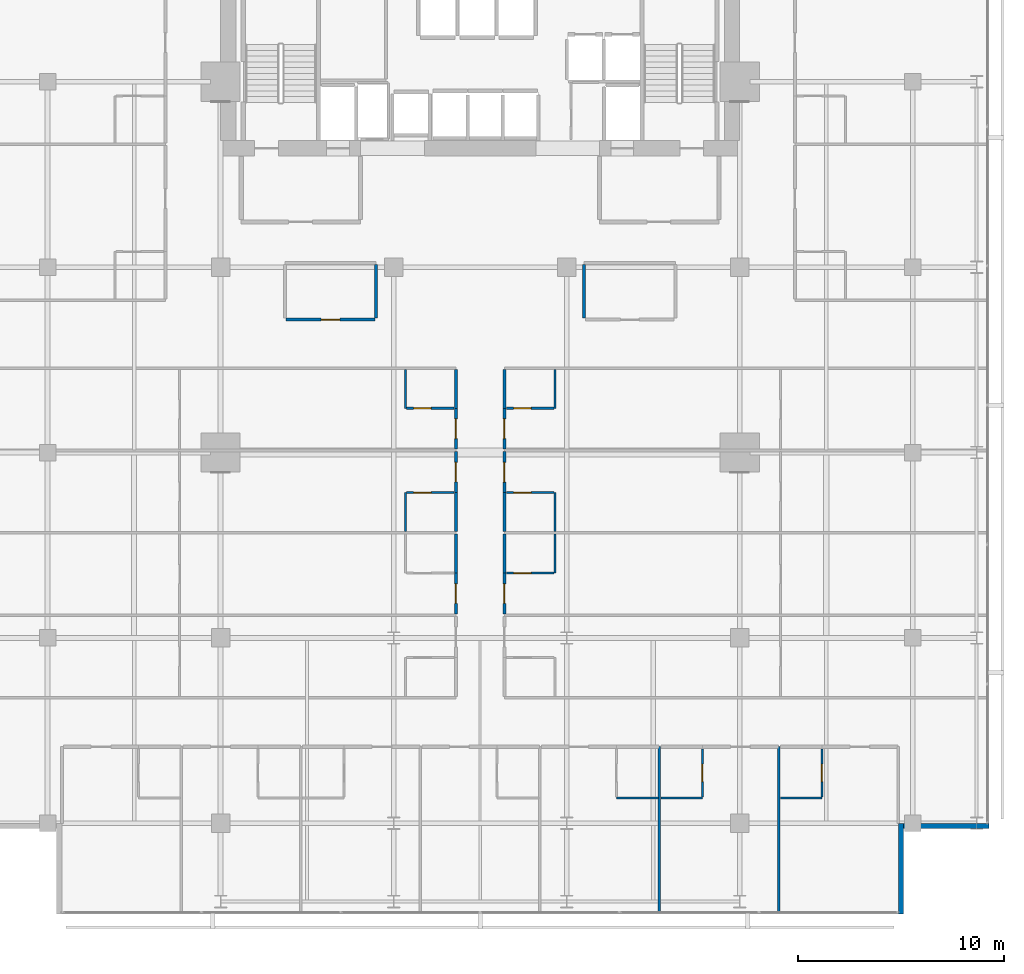
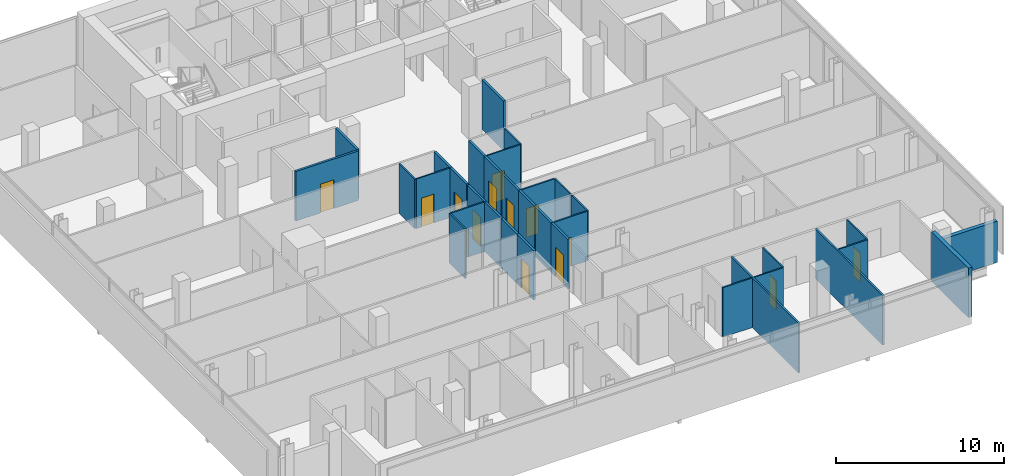
# One storey, part 28 of 34: 34 walls, 14 doors, 14 openings.
"""IFC4 building model written with IfcOpenShell, lengths in metres."""

from ifc_helpers import new_model, si_unit, direction, frame, frame_2d, origin, place, context, subcontext, project, spatial, rectangle, extrude, material, layer, layer_set, type_object, element, fill, save


model = new_model("IFC4")

# Units and contexts
model_context = context("Model", 3, precision=1e-05, world=origin(), true_north=direction((0.0, 1.0)))
body_context = subcontext(model_context, "Body", "Model", "MODEL_VIEW")
ifc_project = project(units=[si_unit("LENGTHUNIT", "METRE"), si_unit("AREAUNIT", "SQUARE_METRE"), si_unit("VOLUMEUNIT", "CUBIC_METRE"), si_unit("PLANEANGLEUNIT", "RADIAN"), si_unit("MASSUNIT", "GRAM", prefix="KILO")], contexts=[model_context])

# Site, building, storey
site_placement = place(None, origin())
site = spatial("IfcSite", under=ifc_project, at=site_placement, CompositionType="ELEMENT")
building_placement = place(site_placement, origin())
building = spatial("IfcBuilding", under=site, at=building_placement, Name="Maruvema Waterfront Hotel and Observation Tower", CompositionType="ELEMENT")
storey_placement = place(building_placement, frame((0.0, 0.0, 131.25)))
storey = spatial("IfcBuildingStorey", under=building, at=storey_placement, Name="L31", CompositionType="ELEMENT", Elevation=131.25)

# Wall
ifc_material_1 = material(Name="Twin-stud acoustic gypsum drywall", Category="gypsum")
ifc_layer_1 = layer(ifc_material_1, 0.14990234375, Name="Acoustic Corridor and Suite Demising Wall 150 mm")
ifc_layer_set_1 = layer_set([ifc_layer_1], Name="Twin-stud acoustic gypsum drywall")
wall_type_1 = type_object("IfcWallType", Name="Acoustic Corridor and Suite Demising Wall 150 mm", PredefinedType="PARTITIONING", material=ifc_layer_set_1)
wall_1_placement = place(storey_placement, frame((32.75, 33.530029296875, 0.0), z_axis=(0.0, 0.0, 1.0), x_axis=(0.0, 1.0, 0.0)))
element("IfcWall", 1, at=wall_1_placement, inside=storey, type_object=wall_type_1, Name="L31 L31-M1 East Wall 019", PredefinedType="PARTITIONING", context=body_context, shape_type="SweptSolid", body=[
    extrude(rectangle(XDim=2.590087890625, YDim=0.14990234375, at=frame_2d((1.294921875, 0.0))), origin(), (0.0, 0.0, 1.0), 3.610107421875),
])

# Wall, opening, door
wall_2_placement = place(storey_placement, frame((28.3798828125, 33.449951171875, 0.0), z_axis=(0.0, 0.0, 1.0), x_axis=(1.0, 0.0, 0.0)))
wall_2 = element("IfcWall", 2, at=wall_2_placement, inside=storey, type_object=wall_type_1, Name="L31 L31-M1 Front 1 020", PredefinedType="PARTITIONING", context=body_context, shape_type="SweptSolid", body=[
    extrude(rectangle(XDim=4.31005859375, YDim=0.14990234375, at=frame_2d((2.155029296875, 0.0))), origin(), (0.0, 0.0, 1.0), 3.610107421875),
])
opening_1_placement = place(wall_2_placement, frame((1.705078125, 0.0, 0.0)))
opening_1 = element("IfcOpeningElement", 3, at=opening_1_placement, cuts=wall_2, Name="Opening DR-090", PredefinedType="OPENING", context=body_context, shape_type="SweptSolid", body=[
    extrude(rectangle(XDim=0.89990234375, YDim=2.10009765625, at=frame_2d((0.449951171875, 1.050048828125))), frame((0.0, 0.0849609375, 0.0), z_axis=(0.0, -1.0, 0.0), x_axis=(1.0, 0.0, 0.0)), (0.0, 0.0, 1.0), 0.169921875),
])
ifc_material_2 = material(Name="Solid-core lacquered timber leaf", Category="wood")
door_type_1 = type_object("IfcDoorType", Name="Accessible Toilet and Room Door 900x2100 mm", OperationType="NOTDEFINED", PredefinedType="DOOR", material=ifc_material_2)
door_1_placement = place(opening_1_placement, frame((0.89990234375, 0.0, 0.0), z_axis=(0.0, 0.0, 1.0), x_axis=(-1.0, 0.0, 0.0)))
door_1 = element("IfcDoor", 4, at=door_1_placement, inside=storey, type_object=door_type_1, Name="L31 Butler Kitchenette Door", OperationType="SINGLE_SWING_LEFT", OverallHeight=2.10009765625, OverallWidth=0.89990234375, PredefinedType="DOOR", context=body_context, shape_type="SweptSolid", body=[
    extrude(rectangle(XDim=0.89990234375, YDim=2.10009765625, at=frame_2d((0.449951171875, 1.050048828125))), frame((0.0, 0.02490234375, 0.0), z_axis=(0.0, -1.0, 0.0), x_axis=(1.0, 0.0, 0.0)), (0.0, 0.0, 1.0), 0.050048828125),
])
fill(opening_1, door_1)

# Wall
wall_3_placement = place(storey_placement, frame((42.85009765625, 33.530029296875, 0.0), z_axis=(0.0, 0.0, 1.0), x_axis=(0.0, 1.0, 0.0)))
element("IfcWall", 5, at=wall_3_placement, inside=storey, type_object=wall_type_1, Name="L31 L31-M2 West Wall 022", PredefinedType="PARTITIONING", context=body_context, shape_type="SweptSolid", body=[
    extrude(rectangle(XDim=2.590087890625, YDim=0.14990234375, at=frame_2d((1.294921875, 0.0))), origin(), (0.0, 0.0, 1.0), 3.610107421875),
])

# Wall, opening, door
wall_4_placement = place(storey_placement, frame((36.6201171875, 19.159912109375, 0.0), z_axis=(0.0, 0.0, 1.0), x_axis=(0.0, 1.0, 0.0)))
wall_4 = element("IfcWall", 6, at=wall_4_placement, inside=storey, type_object=wall_type_1, Name="L31 Room L31-W2 Corridor Wall 077", PredefinedType="PARTITIONING", context=body_context, shape_type="SweptSolid", body=[
    extrude(rectangle(XDim=1.989990234375, YDim=0.14990234375, at=frame_2d((0.9951171875, 0.0))), origin(), (0.0, 0.0, 1.0), 3.610107421875),
])
opening_2_placement = place(wall_4_placement, frame((0.52001953125, 0.0, 0.0)))
opening_2 = element("IfcOpeningElement", 7, at=opening_2_placement, cuts=wall_4, Name="Opening DR-095", PredefinedType="OPENING", context=body_context, shape_type="SweptSolid", body=[
    extrude(rectangle(XDim=0.949951171875, YDim=2.14990234375, at=frame_2d((0.47509765625, 1.074951171875))), frame((0.0, 0.0849609375, 0.0), z_axis=(0.0, -1.0, 0.0), x_axis=(1.0, 0.0, 0.0)), (0.0, 0.0, 1.0), 0.169921875),
])
ifc_material_3 = material(Name="Acoustic solid-core hardwood timber leaf", Category="wood")
door_type_2 = type_object("IfcDoorType", Name="Guestroom Entrance Fire Door 950x2150 mm", OperationType="NOTDEFINED", PredefinedType="DOOR", material=ifc_material_3)
door_2_placement = place(opening_2_placement, origin())
door_2 = element("IfcDoor", 8, at=door_2_placement, inside=storey, type_object=door_type_2, Name="L31 Room L31-W2 Entrance Door", OperationType="SINGLE_SWING_RIGHT", OverallHeight=2.14990234375, OverallWidth=0.949951171875, PredefinedType="DOOR", context=body_context, shape_type="SweptSolid", body=[
    extrude(rectangle(XDim=0.949951171875, YDim=2.14990234375, at=frame_2d((0.47509765625, 1.074951171875))), frame((0.0, 0.02490234375, 0.0), z_axis=(0.0, -1.0, 0.0), x_axis=(1.0, 0.0, 0.0)), (0.0, 0.0, 1.0), 0.050048828125),
])
fill(opening_2, door_2)

# Wall
wall_5_placement = place(storey_placement, frame((36.6201171875, 21.14990234375, 0.0), z_axis=(0.0, 0.0, 1.0), x_axis=(0.0, 1.0, 0.0)))
element("IfcWall", 9, at=wall_5_placement, inside=storey, type_object=wall_type_1, Name="L31 Bath L31-W2 Wall 078", PredefinedType="PARTITIONING", context=body_context, shape_type="SweptSolid", body=[
    extrude(rectangle(XDim=1.89013671875, YDim=0.14990234375, at=frame_2d((0.945068359375, 0.0))), origin(), (0.0, 0.0, 1.0), 3.610107421875),
])

# Wall, opening, door
wall_6_placement = place(storey_placement, frame((38.97998046875, 19.159912109375, 0.0), z_axis=(0.0, 0.0, 1.0), x_axis=(0.0, 1.0, 0.0)))
wall_6 = element("IfcWall", 10, at=wall_6_placement, inside=storey, type_object=wall_type_1, Name="L31 Room L31-E2 Corridor Wall 082", PredefinedType="PARTITIONING", context=body_context, shape_type="SweptSolid", body=[
    extrude(rectangle(XDim=1.989990234375, YDim=0.14990234375, at=frame_2d((0.9951171875, 0.0))), origin(), (0.0, 0.0, 1.0), 3.610107421875),
])
opening_3_placement = place(wall_6_placement, frame((0.52001953125, 0.0, 0.0)))
opening_3 = element("IfcOpeningElement", 11, at=opening_3_placement, cuts=wall_6, Name="Opening DR-095", PredefinedType="OPENING", context=body_context, shape_type="SweptSolid", body=[
    extrude(rectangle(XDim=0.949951171875, YDim=2.14990234375, at=frame_2d((0.47509765625, 1.074951171875))), frame((0.0, 0.0849609375, 0.0), z_axis=(0.0, -1.0, 0.0), x_axis=(1.0, 0.0, 0.0)), (0.0, 0.0, 1.0), 0.169921875),
])
door_3_placement = place(opening_3_placement, frame((0.949951171875, 0.0, 0.0), z_axis=(0.0, 0.0, 1.0), x_axis=(-1.0, 0.0, 0.0)))
door_3 = element("IfcDoor", 12, at=door_3_placement, inside=storey, type_object=door_type_2, Name="L31 Room L31-E2 Entrance Door", OperationType="SINGLE_SWING_LEFT", OverallHeight=2.14990234375, OverallWidth=0.949951171875, PredefinedType="DOOR", context=body_context, shape_type="SweptSolid", body=[
    extrude(rectangle(XDim=0.949951171875, YDim=2.14990234375, at=frame_2d((0.47509765625, 1.074951171875))), frame((0.0, 0.02490234375, 0.0), z_axis=(0.0, -1.0, 0.0), x_axis=(1.0, 0.0, 0.0)), (0.0, 0.0, 1.0), 0.050048828125),
])
fill(opening_3, door_3)

# Walls
for number, where, z_axis, x_axis, name in (
    (13, (38.97998046875, 21.14990234375, 0.0), (0.0, 0.0, 1.0), (0.0, 1.0, 0.0), "L31 Bath L31-E2 Wall 083"),
    (14, (36.6201171875, 23.159912109375, 0.0), (0.0, 0.0, 1.0), (0.0, 1.0, 0.0), "L31 Bath L31-W3 Wall 089"),
):
    element("IfcWall", number, at=place(storey_placement, frame(where, z_axis=z_axis, x_axis=x_axis)), inside=storey, type_object=wall_type_1, Name=name, PredefinedType="PARTITIONING", context=body_context, shape_type="SweptSolid", body=[
        extrude(rectangle(XDim=1.89013671875, YDim=0.14990234375, at=frame_2d((0.945068359375, 0.0))), origin(), (0.0, 0.0, 1.0), 3.610107421875),
    ])

# Wall, opening, door
wall_7_placement = place(storey_placement, frame((36.6201171875, 25.050048828125, 0.0), z_axis=(0.0, 0.0, 1.0), x_axis=(0.0, 1.0, 0.0)))
wall_7 = element("IfcWall", 15, at=wall_7_placement, inside=storey, type_object=wall_type_1, Name="L31 Room L31-W3 Corridor Wall 090", PredefinedType="PARTITIONING", context=body_context, shape_type="SweptSolid", body=[
    extrude(rectangle(XDim=1.989990234375, YDim=0.14990234375, at=frame_2d((0.9951171875, 0.0))), origin(), (0.0, 0.0, 1.0), 3.610107421875),
])
opening_4_placement = place(wall_7_placement, frame((0.52001953125, 0.0, 0.0)))
opening_4 = element("IfcOpeningElement", 16, at=opening_4_placement, cuts=wall_7, Name="Opening DR-095", PredefinedType="OPENING", context=body_context, shape_type="SweptSolid", body=[
    extrude(rectangle(XDim=0.949951171875, YDim=2.14990234375, at=frame_2d((0.47509765625, 1.074951171875))), frame((0.0, 0.0849609375, 0.0), z_axis=(0.0, -1.0, 0.0), x_axis=(1.0, 0.0, 0.0)), (0.0, 0.0, 1.0), 0.169921875),
])
door_4_placement = place(opening_4_placement, origin())
door_4 = element("IfcDoor", 17, at=door_4_placement, inside=storey, type_object=door_type_2, Name="L31 Room L31-W3 Entrance Door", OperationType="SINGLE_SWING_RIGHT", OverallHeight=2.14990234375, OverallWidth=0.949951171875, PredefinedType="DOOR", context=body_context, shape_type="SweptSolid", body=[
    extrude(rectangle(XDim=0.949951171875, YDim=2.14990234375, at=frame_2d((0.47509765625, 1.074951171875))), frame((0.0, 0.02490234375, 0.0), z_axis=(0.0, -1.0, 0.0), x_axis=(1.0, 0.0, 0.0)), (0.0, 0.0, 1.0), 0.050048828125),
])
fill(opening_4, door_4)

# Wall
wall_8_placement = place(storey_placement, frame((38.97998046875, 23.159912109375, 0.0), z_axis=(0.0, 0.0, 1.0), x_axis=(0.0, 1.0, 0.0)))
element("IfcWall", 18, at=wall_8_placement, inside=storey, type_object=wall_type_1, Name="L31 Bath L31-E3 Wall 094", PredefinedType="PARTITIONING", context=body_context, shape_type="SweptSolid", body=[
    extrude(rectangle(XDim=1.89013671875, YDim=0.14990234375, at=frame_2d((0.945068359375, 0.0))), origin(), (0.0, 0.0, 1.0), 3.610107421875),
])

# Wall, opening, door
wall_9_placement = place(storey_placement, frame((38.97998046875, 25.050048828125, 0.0), z_axis=(0.0, 0.0, 1.0), x_axis=(0.0, 1.0, 0.0)))
wall_9 = element("IfcWall", 19, at=wall_9_placement, inside=storey, type_object=wall_type_1, Name="L31 Room L31-E3 Corridor Wall 095", PredefinedType="PARTITIONING", context=body_context, shape_type="SweptSolid", body=[
    extrude(rectangle(XDim=1.989990234375, YDim=0.14990234375, at=frame_2d((0.9951171875, 0.0))), origin(), (0.0, 0.0, 1.0), 3.610107421875),
])
opening_5_placement = place(wall_9_placement, frame((0.52001953125, 0.0, 0.0)))
opening_5 = element("IfcOpeningElement", 20, at=opening_5_placement, cuts=wall_9, Name="Opening DR-095", PredefinedType="OPENING", context=body_context, shape_type="SweptSolid", body=[
    extrude(rectangle(XDim=0.949951171875, YDim=2.14990234375, at=frame_2d((0.47509765625, 1.074951171875))), frame((0.0, 0.0849609375, 0.0), z_axis=(0.0, -1.0, 0.0), x_axis=(1.0, 0.0, 0.0)), (0.0, 0.0, 1.0), 0.169921875),
])
door_5_placement = place(opening_5_placement, frame((0.949951171875, 0.0, 0.0), z_axis=(0.0, 0.0, 1.0), x_axis=(-1.0, 0.0, 0.0)))
door_5 = element("IfcDoor", 21, at=door_5_placement, inside=storey, type_object=door_type_2, Name="L31 Room L31-E3 Entrance Door", OperationType="SINGLE_SWING_LEFT", OverallHeight=2.14990234375, OverallWidth=0.949951171875, PredefinedType="DOOR", context=body_context, shape_type="SweptSolid", body=[
    extrude(rectangle(XDim=0.949951171875, YDim=2.14990234375, at=frame_2d((0.47509765625, 1.074951171875))), frame((0.0, 0.02490234375, 0.0), z_axis=(0.0, -1.0, 0.0), x_axis=(1.0, 0.0, 0.0)), (0.0, 0.0, 1.0), 0.050048828125),
])
fill(opening_5, door_5)

wall_10_placement = place(storey_placement, frame((36.6201171875, 27.159912109375, 0.0), z_axis=(0.0, 0.0, 1.0), x_axis=(0.0, 1.0, 0.0)))
wall_10 = element("IfcWall", 22, at=wall_10_placement, inside=storey, type_object=wall_type_1, Name="L31 Room L31-W4 Corridor Wall 101", PredefinedType="PARTITIONING", context=body_context, shape_type="SweptSolid", body=[
    extrude(rectangle(XDim=1.989990234375, YDim=0.14990234375, at=frame_2d((0.9951171875, 0.0))), origin(), (0.0, 0.0, 1.0), 3.610107421875),
])
opening_6_placement = place(wall_10_placement, frame((0.52001953125, 0.0, 0.0)))
opening_6 = element("IfcOpeningElement", 23, at=opening_6_placement, cuts=wall_10, Name="Opening DR-095", PredefinedType="OPENING", context=body_context, shape_type="SweptSolid", body=[
    extrude(rectangle(XDim=0.949951171875, YDim=2.14990234375, at=frame_2d((0.47509765625, 1.074951171875))), frame((0.0, 0.0849609375, 0.0), z_axis=(0.0, -1.0, 0.0), x_axis=(1.0, 0.0, 0.0)), (0.0, 0.0, 1.0), 0.169921875),
])
door_6_placement = place(opening_6_placement, origin())
door_6 = element("IfcDoor", 24, at=door_6_placement, inside=storey, type_object=door_type_2, Name="L31 Room L31-W4 Entrance Door", OperationType="SINGLE_SWING_RIGHT", OverallHeight=2.14990234375, OverallWidth=0.949951171875, PredefinedType="DOOR", context=body_context, shape_type="SweptSolid", body=[
    extrude(rectangle(XDim=0.949951171875, YDim=2.14990234375, at=frame_2d((0.47509765625, 1.074951171875))), frame((0.0, 0.02490234375, 0.0), z_axis=(0.0, -1.0, 0.0), x_axis=(1.0, 0.0, 0.0)), (0.0, 0.0, 1.0), 0.050048828125),
])
fill(opening_6, door_6)

# Wall
wall_11_placement = place(storey_placement, frame((36.6201171875, 29.14990234375, 0.0), z_axis=(0.0, 0.0, 1.0), x_axis=(0.0, 1.0, 0.0)))
element("IfcWall", 25, at=wall_11_placement, inside=storey, type_object=wall_type_1, Name="L31 Bath L31-W4 Wall 102", PredefinedType="PARTITIONING", context=body_context, shape_type="SweptSolid", body=[
    extrude(rectangle(XDim=1.89013671875, YDim=0.14990234375, at=frame_2d((0.945068359375, 0.0))), origin(), (0.0, 0.0, 1.0), 3.610107421875),
])

# Wall, opening, door
wall_12_placement = place(storey_placement, frame((38.97998046875, 27.159912109375, 0.0), z_axis=(0.0, 0.0, 1.0), x_axis=(0.0, 1.0, 0.0)))
wall_12 = element("IfcWall", 26, at=wall_12_placement, inside=storey, type_object=wall_type_1, Name="L31 Room L31-E4 Corridor Wall 106", PredefinedType="PARTITIONING", context=body_context, shape_type="SweptSolid", body=[
    extrude(rectangle(XDim=1.989990234375, YDim=0.14990234375, at=frame_2d((0.9951171875, 0.0))), origin(), (0.0, 0.0, 1.0), 3.610107421875),
])
opening_7_placement = place(wall_12_placement, frame((0.52001953125, 0.0, 0.0)))
opening_7 = element("IfcOpeningElement", 27, at=opening_7_placement, cuts=wall_12, Name="Opening DR-095", PredefinedType="OPENING", context=body_context, shape_type="SweptSolid", body=[
    extrude(rectangle(XDim=0.949951171875, YDim=2.14990234375, at=frame_2d((0.47509765625, 1.074951171875))), frame((0.0, 0.0849609375, 0.0), z_axis=(0.0, -1.0, 0.0), x_axis=(1.0, 0.0, 0.0)), (0.0, 0.0, 1.0), 0.169921875),
])
door_7_placement = place(opening_7_placement, frame((0.949951171875, 0.0, 0.0), z_axis=(0.0, 0.0, 1.0), x_axis=(-1.0, 0.0, 0.0)))
door_7 = element("IfcDoor", 28, at=door_7_placement, inside=storey, type_object=door_type_2, Name="L31 Room L31-E4 Entrance Door", OperationType="SINGLE_SWING_LEFT", OverallHeight=2.14990234375, OverallWidth=0.949951171875, PredefinedType="DOOR", context=body_context, shape_type="SweptSolid", body=[
    extrude(rectangle(XDim=0.949951171875, YDim=2.14990234375, at=frame_2d((0.47509765625, 1.074951171875))), frame((0.0, 0.02490234375, 0.0), z_axis=(0.0, -1.0, 0.0), x_axis=(1.0, 0.0, 0.0)), (0.0, 0.0, 1.0), 0.050048828125),
])
fill(opening_7, door_7)

# Walls
wall_13_placement = place(storey_placement, frame((38.97998046875, 29.14990234375, 0.0), z_axis=(0.0, 0.0, 1.0), x_axis=(0.0, 1.0, 0.0)))
element("IfcWall", 29, at=wall_13_placement, inside=storey, type_object=wall_type_1, Name="L31 Bath L31-E4 Wall 107", PredefinedType="PARTITIONING", context=body_context, shape_type="SweptSolid", body=[
    extrude(rectangle(XDim=1.89013671875, YDim=0.14990234375, at=frame_2d((0.945068359375, 0.0))), origin(), (0.0, 0.0, 1.0), 3.610107421875),
])
ifc_material_4 = material(Name="Moisture-resistant cement-board drywall", Category="gypsum")
ifc_layer_2 = layer(ifc_material_4, 0.10009765625, Name="En-Suite Moisture-Resistant Partition 100 mm")
ifc_layer_set_2 = layer_set([ifc_layer_2], Name="Moisture-resistant cement-board drywall")
wall_type_2 = type_object("IfcWallType", Name="En-Suite Moisture-Resistant Partition 100 mm", PredefinedType="PARTITIONING", material=ifc_layer_set_2)
wall_14_placement = place(storey_placement, frame((44.409912109375, 10.219970703125, 0.0), z_axis=(0.0, 0.0, 1.0), x_axis=(1.0, 0.0, 0.0)))
element("IfcWall", 30, at=wall_14_placement, inside=storey, type_object=wall_type_2, Name="L31 En-Suite L31-S5 South 048", PredefinedType="PARTITIONING", context=body_context, shape_type="SweptSolid", body=[
    extrude(rectangle(XDim=2.050048828125, YDim=0.10009765625, at=frame_2d((1.02490234375, 0.0))), origin(), (0.0, 0.0, 1.0), 3.610107421875),
])
wall_15_placement = place(storey_placement, frame((46.580078125, 10.219970703125, 0.0), z_axis=(0.0, 0.0, 1.0), x_axis=(1.0, 0.0, 0.0)))
element("IfcWall", 31, at=wall_15_placement, inside=storey, type_object=wall_type_2, Name="L31 En-Suite L31-S6 South 053", PredefinedType="PARTITIONING", context=body_context, shape_type="SweptSolid", body=[
    extrude(rectangle(XDim=2.010009765625, YDim=0.10009765625, at=frame_2d((1.0048828125, 0.0))), origin(), (0.0, 0.0, 1.0), 3.610107421875),
])

# Wall, opening, door
wall_16_placement = place(storey_placement, frame((48.590087890625, 10.280029296875, 0.0), z_axis=(0.0, 0.0, 1.0), x_axis=(0.0, 1.0, 0.0)))
wall_16 = element("IfcWall", 32, at=wall_16_placement, inside=storey, type_object=wall_type_2, Name="L31 En-Suite L31-S6 East 054", PredefinedType="PARTITIONING", context=body_context, shape_type="SweptSolid", body=[
    extrude(rectangle(XDim=2.340087890625, YDim=0.10009765625, at=frame_2d((1.169921875, 0.0))), origin(), (0.0, 0.0, 1.0), 3.610107421875),
])
opening_8_placement = place(wall_16_placement, frame((0.7451171875, 0.0, 0.0)))
opening_8 = element("IfcOpeningElement", 33, at=opening_8_placement, cuts=wall_16, Name="Opening DR-085", PredefinedType="OPENING", context=body_context, shape_type="SweptSolid", body=[
    extrude(rectangle(XDim=0.85009765625, YDim=2.10009765625, at=frame_2d((0.425048828125, 1.050048828125))), frame((0.0, 0.06005859375, 0.0), z_axis=(0.0, -1.0, 0.0), x_axis=(1.0, 0.0, 0.0)), (0.0, 0.0, 1.0), 0.1201171875),
])
ifc_material_5 = material(Name="Moisture-resistant solid timber leaf", Category="wood")
door_type_3 = type_object("IfcDoorType", Name="En-Suite Bathroom Door 850x2100 mm", OperationType="NOTDEFINED", PredefinedType="DOOR", material=ifc_material_5)
door_8_placement = place(opening_8_placement, frame((0.85009765625, 0.0, 0.0), z_axis=(0.0, 0.0, 1.0), x_axis=(-1.0, 0.0, 0.0)))
door_8 = element("IfcDoor", 34, at=door_8_placement, inside=storey, type_object=door_type_3, Name="L31 En-Suite L31-S6 Door", OperationType="SINGLE_SWING_LEFT", OverallHeight=2.10009765625, OverallWidth=0.85009765625, PredefinedType="DOOR", context=body_context, shape_type="SweptSolid", body=[
    extrude(rectangle(XDim=0.85009765625, YDim=2.10009765625, at=frame_2d((0.425048828125, 1.050048828125))), frame((0.0, 0.02490234375, 0.0), z_axis=(0.0, -1.0, 0.0), x_axis=(1.0, 0.0, 0.0)), (0.0, 0.0, 1.0), 0.050048828125),
])
fill(opening_8, door_8)

# Wall
wall_17_placement = place(storey_placement, frame((52.3798828125, 10.219970703125, 0.0), z_axis=(0.0, 0.0, 1.0), x_axis=(1.0, 0.0, 0.0)))
element("IfcWall", 35, at=wall_17_placement, inside=storey, type_object=wall_type_2, Name="L31 En-Suite L31-S7 South 058", PredefinedType="PARTITIONING", context=body_context, shape_type="SweptSolid", body=[
    extrude(rectangle(XDim=2.010009765625, YDim=0.10009765625, at=frame_2d((1.0048828125, 0.0))), origin(), (0.0, 0.0, 1.0), 3.610107421875),
])

# Wall, opening, door
wall_18_placement = place(storey_placement, frame((54.389892578125, 10.280029296875, 0.0), z_axis=(0.0, 0.0, 1.0), x_axis=(0.0, 1.0, 0.0)))
wall_18 = element("IfcWall", 36, at=wall_18_placement, inside=storey, type_object=wall_type_2, Name="L31 En-Suite L31-S7 East 059", PredefinedType="PARTITIONING", context=body_context, shape_type="SweptSolid", body=[
    extrude(rectangle(XDim=2.340087890625, YDim=0.10009765625, at=frame_2d((1.169921875, 0.0))), origin(), (0.0, 0.0, 1.0), 3.610107421875),
])
opening_9_placement = place(wall_18_placement, frame((0.7451171875, 0.0, 0.0)))
opening_9 = element("IfcOpeningElement", 37, at=opening_9_placement, cuts=wall_18, Name="Opening DR-085", PredefinedType="OPENING", context=body_context, shape_type="SweptSolid", body=[
    extrude(rectangle(XDim=0.85009765625, YDim=2.10009765625, at=frame_2d((0.425048828125, 1.050048828125))), frame((0.0, 0.06005859375, 0.0), z_axis=(0.0, -1.0, 0.0), x_axis=(1.0, 0.0, 0.0)), (0.0, 0.0, 1.0), 0.1201171875),
])
door_9_placement = place(opening_9_placement, frame((0.85009765625, 0.0, 0.0), z_axis=(0.0, 0.0, 1.0), x_axis=(-1.0, 0.0, 0.0)))
door_9 = element("IfcDoor", 38, at=door_9_placement, inside=storey, type_object=door_type_3, Name="L31 En-Suite L31-S7 Door", OperationType="SINGLE_SWING_LEFT", OverallHeight=2.10009765625, OverallWidth=0.85009765625, PredefinedType="DOOR", context=body_context, shape_type="SweptSolid", body=[
    extrude(rectangle(XDim=0.85009765625, YDim=2.10009765625, at=frame_2d((0.425048828125, 1.050048828125))), frame((0.0, 0.02490234375, 0.0), z_axis=(0.0, -1.0, 0.0), x_axis=(1.0, 0.0, 0.0)), (0.0, 0.0, 1.0), 0.050048828125),
])
fill(opening_9, door_9)

# Wall
wall_19_placement = place(storey_placement, frame((41.429931640625, 21.14990234375, 0.0), z_axis=(0.0, 0.0, 1.0), x_axis=(0.0, 1.0, 0.0)))
element("IfcWall", 39, at=wall_19_placement, inside=storey, type_object=wall_type_2, Name="L31 En-Suite L31-E2 E 084", PredefinedType="PARTITIONING", context=body_context, shape_type="SweptSolid", body=[
    extrude(rectangle(XDim=1.89013671875, YDim=0.10009765625, at=frame_2d((0.945068359375, 0.0))), origin(), (0.0, 0.0, 1.0), 3.610107421875),
])

# Wall, opening, door
wall_20_placement = place(storey_placement, frame((39.080078125, 21.14990234375, 0.0), z_axis=(0.0, 0.0, 1.0), x_axis=(1.0, 0.0, 0.0)))
wall_20 = element("IfcWall", 40, at=wall_20_placement, inside=storey, type_object=wall_type_2, Name="L31 En-Suite L31-E2 S 085", PredefinedType="PARTITIONING", context=body_context, shape_type="SweptSolid", body=[
    extrude(rectangle(XDim=2.2998046875, YDim=0.10009765625, at=frame_2d((1.14990234375, 0.0))), origin(), (0.0, 0.0, 1.0), 3.610107421875),
])
opening_10_placement = place(wall_20_placement, frame((0.35009765625, 0.0, 0.0)))
opening_10 = element("IfcOpeningElement", 41, at=opening_10_placement, cuts=wall_20, Name="Opening DR-085", PredefinedType="OPENING", context=body_context, shape_type="SweptSolid", body=[
    extrude(rectangle(XDim=0.85009765625, YDim=2.10009765625, at=frame_2d((0.425048828125, 1.050048828125))), frame((0.0, 0.06005859375, 0.0), z_axis=(0.0, -1.0, 0.0), x_axis=(1.0, 0.0, 0.0)), (0.0, 0.0, 1.0), 0.1201171875),
])
door_10_placement = place(opening_10_placement, frame((0.85009765625, 0.0, 0.0), z_axis=(0.0, 0.0, 1.0), x_axis=(-1.0, 0.0, 0.0)))
door_10 = element("IfcDoor", 42, at=door_10_placement, inside=storey, type_object=door_type_3, Name="L31 En-Suite L31-E2 Door", OperationType="SINGLE_SWING_RIGHT", OverallHeight=2.10009765625, OverallWidth=0.85009765625, PredefinedType="DOOR", context=body_context, shape_type="SweptSolid", body=[
    extrude(rectangle(XDim=0.85009765625, YDim=2.10009765625, at=frame_2d((0.425048828125, 1.050048828125))), frame((0.0, 0.02490234375, 0.0), z_axis=(0.0, -1.0, 0.0), x_axis=(1.0, 0.0, 0.0)), (0.0, 0.0, 1.0), 0.050048828125),
])
fill(opening_10, door_10)

# Wall
wall_21_placement = place(storey_placement, frame((34.169921875, 23.159912109375, 0.0), z_axis=(0.0, 0.0, 1.0), x_axis=(0.0, 1.0, 0.0)))
element("IfcWall", 43, at=wall_21_placement, inside=storey, type_object=wall_type_2, Name="L31 En-Suite L31-W3 W 091", PredefinedType="PARTITIONING", context=body_context, shape_type="SweptSolid", body=[
    extrude(rectangle(XDim=1.89013671875, YDim=0.10009765625, at=frame_2d((0.945068359375, 0.0))), origin(), (0.0, 0.0, 1.0), 3.610107421875),
])

# Wall, opening, door
wall_22_placement = place(storey_placement, frame((34.219970703125, 25.050048828125, 0.0), z_axis=(0.0, 0.0, 1.0), x_axis=(1.0, 0.0, 0.0)))
wall_22 = element("IfcWall", 44, at=wall_22_placement, inside=storey, type_object=wall_type_2, Name="L31 En-Suite L31-W3 N 092", PredefinedType="PARTITIONING", context=body_context, shape_type="SweptSolid", body=[
    extrude(rectangle(XDim=2.300048828125, YDim=0.10009765625, at=frame_2d((1.14990234375, 0.0))), origin(), (0.0, 0.0, 1.0), 3.610107421875),
])
opening_11_placement = place(wall_22_placement, frame((0.35009765625, 0.0, 0.0)))
opening_11 = element("IfcOpeningElement", 45, at=opening_11_placement, cuts=wall_22, Name="Opening DR-085", PredefinedType="OPENING", context=body_context, shape_type="SweptSolid", body=[
    extrude(rectangle(XDim=0.85009765625, YDim=2.10009765625, at=frame_2d((0.425048828125, 1.050048828125))), frame((0.0, 0.06005859375, 0.0), z_axis=(0.0, -1.0, 0.0), x_axis=(1.0, 0.0, 0.0)), (0.0, 0.0, 1.0), 0.1201171875),
])
door_11_placement = place(opening_11_placement, origin())
door_11 = element("IfcDoor", 46, at=door_11_placement, inside=storey, type_object=door_type_3, Name="L31 En-Suite L31-W3 Door", OperationType="SINGLE_SWING_LEFT", OverallHeight=2.10009765625, OverallWidth=0.85009765625, PredefinedType="DOOR", context=body_context, shape_type="SweptSolid", body=[
    extrude(rectangle(XDim=0.85009765625, YDim=2.10009765625, at=frame_2d((0.425048828125, 1.050048828125))), frame((0.0, 0.02490234375, 0.0), z_axis=(0.0, -1.0, 0.0), x_axis=(1.0, 0.0, 0.0)), (0.0, 0.0, 1.0), 0.050048828125),
])
fill(opening_11, door_11)

# Wall
wall_23_placement = place(storey_placement, frame((41.429931640625, 23.159912109375, 0.0), z_axis=(0.0, 0.0, 1.0), x_axis=(0.0, 1.0, 0.0)))
element("IfcWall", 47, at=wall_23_placement, inside=storey, type_object=wall_type_2, Name="L31 En-Suite L31-E3 E 096", PredefinedType="PARTITIONING", context=body_context, shape_type="SweptSolid", body=[
    extrude(rectangle(XDim=1.89013671875, YDim=0.10009765625, at=frame_2d((0.945068359375, 0.0))), origin(), (0.0, 0.0, 1.0), 3.610107421875),
])

# Wall, opening, door
wall_24_placement = place(storey_placement, frame((39.080078125, 25.050048828125, 0.0), z_axis=(0.0, 0.0, 1.0), x_axis=(1.0, 0.0, 0.0)))
wall_24 = element("IfcWall", 48, at=wall_24_placement, inside=storey, type_object=wall_type_2, Name="L31 En-Suite L31-E3 N 097", PredefinedType="PARTITIONING", context=body_context, shape_type="SweptSolid", body=[
    extrude(rectangle(XDim=2.2998046875, YDim=0.10009765625, at=frame_2d((1.14990234375, 0.0))), origin(), (0.0, 0.0, 1.0), 3.610107421875),
])
opening_12_placement = place(wall_24_placement, frame((0.35009765625, 0.0, 0.0)))
opening_12 = element("IfcOpeningElement", 49, at=opening_12_placement, cuts=wall_24, Name="Opening DR-085", PredefinedType="OPENING", context=body_context, shape_type="SweptSolid", body=[
    extrude(rectangle(XDim=0.85009765625, YDim=2.10009765625, at=frame_2d((0.425048828125, 1.050048828125))), frame((0.0, 0.06005859375, 0.0), z_axis=(0.0, -1.0, 0.0), x_axis=(1.0, 0.0, 0.0)), (0.0, 0.0, 1.0), 0.1201171875),
])
door_12_placement = place(opening_12_placement, origin())
door_12 = element("IfcDoor", 50, at=door_12_placement, inside=storey, type_object=door_type_3, Name="L31 En-Suite L31-E3 Door", OperationType="SINGLE_SWING_RIGHT", OverallHeight=2.10009765625, OverallWidth=0.85009765625, PredefinedType="DOOR", context=body_context, shape_type="SweptSolid", body=[
    extrude(rectangle(XDim=0.85009765625, YDim=2.10009765625, at=frame_2d((0.425048828125, 1.050048828125))), frame((0.0, 0.02490234375, 0.0), z_axis=(0.0, -1.0, 0.0), x_axis=(1.0, 0.0, 0.0)), (0.0, 0.0, 1.0), 0.050048828125),
])
fill(opening_12, door_12)

# Wall
wall_25_placement = place(storey_placement, frame((34.169921875, 29.14990234375, 0.0), z_axis=(0.0, 0.0, 1.0), x_axis=(0.0, 1.0, 0.0)))
element("IfcWall", 51, at=wall_25_placement, inside=storey, type_object=wall_type_2, Name="L31 En-Suite L31-W4 W 103", PredefinedType="PARTITIONING", context=body_context, shape_type="SweptSolid", body=[
    extrude(rectangle(XDim=1.89013671875, YDim=0.10009765625, at=frame_2d((0.945068359375, 0.0))), origin(), (0.0, 0.0, 1.0), 3.610107421875),
])

# Wall, opening, door
wall_26_placement = place(storey_placement, frame((34.219970703125, 29.14990234375, 0.0), z_axis=(0.0, 0.0, 1.0), x_axis=(1.0, 0.0, 0.0)))
wall_26 = element("IfcWall", 52, at=wall_26_placement, inside=storey, type_object=wall_type_2, Name="L31 En-Suite L31-W4 S 104", PredefinedType="PARTITIONING", context=body_context, shape_type="SweptSolid", body=[
    extrude(rectangle(XDim=2.300048828125, YDim=0.10009765625, at=frame_2d((1.14990234375, 0.0))), origin(), (0.0, 0.0, 1.0), 3.610107421875),
])
opening_13_placement = place(wall_26_placement, frame((0.35009765625, 0.0, 0.0)))
opening_13 = element("IfcOpeningElement", 53, at=opening_13_placement, cuts=wall_26, Name="Opening DR-085", PredefinedType="OPENING", context=body_context, shape_type="SweptSolid", body=[
    extrude(rectangle(XDim=0.85009765625, YDim=2.10009765625, at=frame_2d((0.425048828125, 1.050048828125))), frame((0.0, 0.06005859375, 0.0), z_axis=(0.0, -1.0, 0.0), x_axis=(1.0, 0.0, 0.0)), (0.0, 0.0, 1.0), 0.1201171875),
])
door_13_placement = place(opening_13_placement, frame((0.85009765625, 0.0, 0.0), z_axis=(0.0, 0.0, 1.0), x_axis=(-1.0, 0.0, 0.0)))
door_13 = element("IfcDoor", 54, at=door_13_placement, inside=storey, type_object=door_type_3, Name="L31 En-Suite L31-W4 Door", OperationType="SINGLE_SWING_LEFT", OverallHeight=2.10009765625, OverallWidth=0.85009765625, PredefinedType="DOOR", context=body_context, shape_type="SweptSolid", body=[
    extrude(rectangle(XDim=0.85009765625, YDim=2.10009765625, at=frame_2d((0.425048828125, 1.050048828125))), frame((0.0, 0.02490234375, 0.0), z_axis=(0.0, -1.0, 0.0), x_axis=(1.0, 0.0, 0.0)), (0.0, 0.0, 1.0), 0.050048828125),
])
fill(opening_13, door_13)

# Wall
wall_27_placement = place(storey_placement, frame((41.429931640625, 29.14990234375, 0.0), z_axis=(0.0, 0.0, 1.0), x_axis=(0.0, 1.0, 0.0)))
element("IfcWall", 55, at=wall_27_placement, inside=storey, type_object=wall_type_2, Name="L31 En-Suite L31-E4 E 108", PredefinedType="PARTITIONING", context=body_context, shape_type="SweptSolid", body=[
    extrude(rectangle(XDim=1.89013671875, YDim=0.10009765625, at=frame_2d((0.945068359375, 0.0))), origin(), (0.0, 0.0, 1.0), 3.610107421875),
])

# Wall, opening, door
wall_28_placement = place(storey_placement, frame((39.080078125, 29.14990234375, 0.0), z_axis=(0.0, 0.0, 1.0), x_axis=(1.0, 0.0, 0.0)))
wall_28 = element("IfcWall", 56, at=wall_28_placement, inside=storey, type_object=wall_type_2, Name="L31 En-Suite L31-E4 S 109", PredefinedType="PARTITIONING", context=body_context, shape_type="SweptSolid", body=[
    extrude(rectangle(XDim=2.2998046875, YDim=0.10009765625, at=frame_2d((1.14990234375, 0.0))), origin(), (0.0, 0.0, 1.0), 3.610107421875),
])
opening_14_placement = place(wall_28_placement, frame((0.35009765625, 0.0, 0.0)))
opening_14 = element("IfcOpeningElement", 57, at=opening_14_placement, cuts=wall_28, Name="Opening DR-085", PredefinedType="OPENING", context=body_context, shape_type="SweptSolid", body=[
    extrude(rectangle(XDim=0.85009765625, YDim=2.10009765625, at=frame_2d((0.425048828125, 1.050048828125))), frame((0.0, 0.06005859375, 0.0), z_axis=(0.0, -1.0, 0.0), x_axis=(1.0, 0.0, 0.0)), (0.0, 0.0, 1.0), 0.1201171875),
])
door_14_placement = place(opening_14_placement, frame((0.85009765625, 0.0, 0.0), z_axis=(0.0, 0.0, 1.0), x_axis=(-1.0, 0.0, 0.0)))
door_14 = element("IfcDoor", 58, at=door_14_placement, inside=storey, type_object=door_type_3, Name="L31 En-Suite L31-E4 Door", OperationType="SINGLE_SWING_RIGHT", OverallHeight=2.10009765625, OverallWidth=0.85009765625, PredefinedType="DOOR", context=body_context, shape_type="SweptSolid", body=[
    extrude(rectangle(XDim=0.85009765625, YDim=2.10009765625, at=frame_2d((0.425048828125, 1.050048828125))), frame((0.0, 0.02490234375, 0.0), z_axis=(0.0, -1.0, 0.0), x_axis=(1.0, 0.0, 0.0)), (0.0, 0.0, 1.0), 0.050048828125),
])
fill(opening_14, door_14)

# Walls
ifc_material_6 = material(Name="Precast concrete C45/55 with honed Pernambuco granite facing", Category="masonry")
ifc_layer_3 = layer(ifc_material_6, 0.260009765625, Name="Exterior Granite Clad Spandrel and Pier Wall 260 mm")
ifc_layer_set_3 = layer_set([ifc_layer_3], Name="Precast concrete C45/55 with honed Pernambuco granite facing")
wall_type_3 = type_object("IfcWallType", Name="Exterior Granite Clad Spandrel and Pier Wall 260 mm", PredefinedType="SOLIDWALL", material=ifc_layer_set_3)
wall_29_placement = place(storey_placement, frame((58.22998046875, 9.0, 0.0), z_axis=(0.0, 0.0, 1.0), x_axis=(0.0, -1.0, 0.0)))
element("IfcWall", 59, at=wall_29_placement, inside=storey, type_object=wall_type_3, Name="L31 Corner Notch Granite Pier Wall SE1", PredefinedType="SOLIDWALL", context=body_context, shape_type="SweptSolid", body=[
    extrude(rectangle(XDim=4.39990234375, YDim=0.260009765625, at=frame_2d((2.199951171875, 0.0))), origin(), (0.0, 0.0, 1.0), 3.610107421875),
])
wall_30_placement = place(storey_placement, frame((62.5, 8.8701171875, 0.0), z_axis=(0.0, 0.0, 1.0), x_axis=(-1.0, 0.0, 0.0)))
element("IfcWall", 60, at=wall_30_placement, inside=storey, type_object=wall_type_3, Name="L31 Corner Notch Granite Pier Wall SE2", PredefinedType="SOLIDWALL", context=body_context, shape_type="SweptSolid", body=[
    extrude(rectangle(XDim=4.39990234375, YDim=0.260009765625, at=frame_2d((2.199951171875, 0.0))), origin(), (0.0, 0.0, 1.0), 2.998046875),
])
ifc_material_7 = material(Name="Acoustic gypsum plasterboard drywall", Category="gypsum")
ifc_layer_4 = layer(ifc_material_7, 0.125, Name="Guestroom Acoustic Demising Wall 125 mm")
ifc_layer_set_4 = layer_set([ifc_layer_4], Name="Acoustic gypsum plasterboard drywall")
wall_type_4 = type_object("IfcWallType", Name="Guestroom Acoustic Demising Wall 125 mm", PredefinedType="PARTITIONING", material=ifc_layer_set_4)
for number, where, z_axis, x_axis, name in (
    (61, (46.5, 4.699951171875, 0.0), (0.0, 0.0, 1.0), (0.0, 1.0, 0.0), "L31 Z2 S Demising 6 051"),
    (62, (52.300048828125, 4.699951171875, 0.0), (0.0, 0.0, 1.0), (0.0, 1.0, 0.0), "L31 Z2 S Demising 7 056"),
):
    element("IfcWall", number, at=place(storey_placement, frame(where, z_axis=z_axis, x_axis=x_axis)), inside=storey, type_object=wall_type_4, Name=name, PredefinedType="PARTITIONING", context=body_context, shape_type="SweptSolid", body=[
        extrude(rectangle(XDim=8.02001953125, YDim=0.125, at=frame_2d((4.010009765625, 0.0))), origin(), (0.0, 0.0, 1.0), 3.610107421875),
    ])

save(model, "model.ifc")
